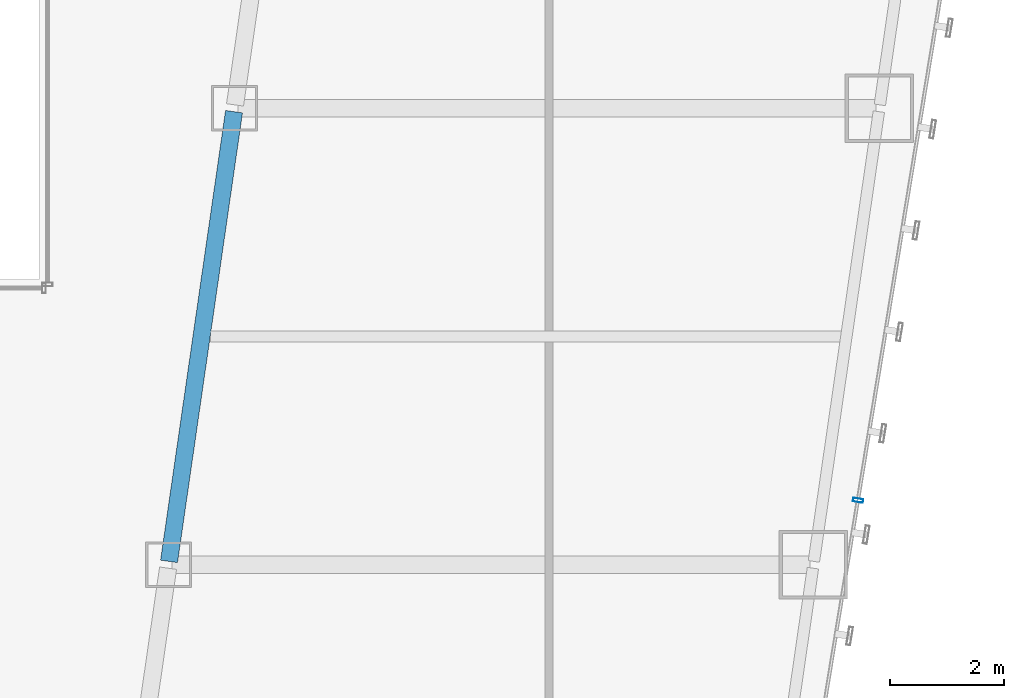
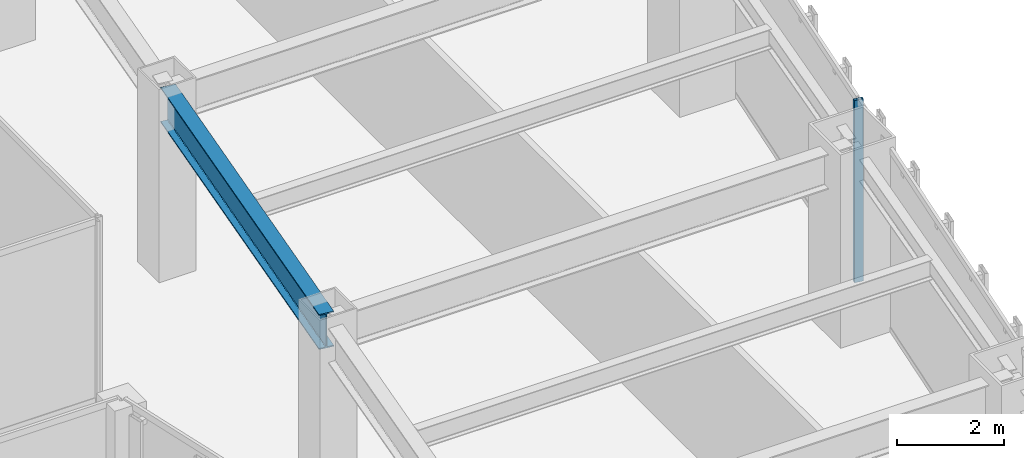
# One storey, part 17 of 47: 1 beam, 1 member, 1 element without a shape of its own.
"""IFC4 building model written with IfcOpenShell, lengths in metres."""

from ifc_helpers import new_model, si_unit, direction, frame, origin, origin_2d, place, context, subcontext, project, spatial, hollow_rectangle, i_section, extrude, material, material_profile, profile_set, type_object, element, aggregate, save


model = new_model("IFC4")

# Units and contexts
model_context = context("Model", 3, precision=1e-05, world=origin(), true_north=direction((0.0, 1.0)))
body_context = subcontext(model_context, "Body", "Model", "MODEL_VIEW")
ifc_project = project(units=[si_unit("LENGTHUNIT", "METRE"), si_unit("AREAUNIT", "SQUARE_METRE"), si_unit("VOLUMEUNIT", "CUBIC_METRE"), si_unit("PLANEANGLEUNIT", "RADIAN"), si_unit("MASSUNIT", "GRAM", prefix="KILO")], contexts=[model_context])

# Site, building, storey
site_placement = place(None, origin())
site = spatial("IfcSite", under=ifc_project, at=site_placement, CompositionType="ELEMENT")
building_placement = place(site_placement, origin())
building = spatial("IfcBuilding", under=site, at=building_placement, Name="Saevonmaru Cultural Tower", CompositionType="ELEMENT")
storey_placement = place(building_placement, frame((0.0, 0.0, 78.0)))
storey = spatial("IfcBuildingStorey", under=building, at=storey_placement, Name="L16", CompositionType="ELEMENT", Elevation=78.0)

# Beam
ifc_material_1 = material(Name="Steel SM420", Category="steel")
ifc_material_profile_1 = material_profile(ifc_material_1, i_section(OverallWidth=0.300048828125, OverallDepth=0.800048828125, WebThickness=0.013916015625, FlangeThickness=0.02587890625, FilletRadius=0.028076171875, at=origin_2d()), Name="H-800x300x14x26")
ifc_profile_set_1 = profile_set([ifc_material_profile_1], Name="Steel SM420")
beam_type = type_object("IfcBeamType", Name="BM-G-H800", PredefinedType="BEAM", material=ifc_profile_set_1)
beam_placement = place(storey_placement, frame((38.08056640625, 16.059326171875, 3.75), z_axis=(0.143022161059, 0.989719486241, 0.0), x_axis=(-0.989719486241, 0.143022161059, 0.0)))
element("IfcBeam", 1, at=beam_placement, inside=storey, type_object=beam_type, Name="L16 East Atrium Girder 3", PredefinedType="BEAM", context=body_context, shape_type="SweptSolid", body=[
    extrude(i_section(OverallWidth=0.300048828125, OverallDepth=0.800048828125, WebThickness=0.013916015625, FlangeThickness=0.02587890625, FilletRadius=0.028076171875, at=origin_2d()), origin(), (0.0, 0.0, 1.0), 7.963134765625),
])

# Curtain wall, member
ifc_material_2 = material(Name="Satin Bronze Anodised Aluminium", Category="aluminium")
curtain_wall_type = type_object("IfcCurtainWallType", Name="CW-TYP-A", PredefinedType="NOTDEFINED", material=ifc_material_2)
curtain_wall_placement = place(storey_placement, origin())
curtain_wall = element("IfcCurtainWall", 2, at=curtain_wall_placement, inside=storey, type_object=curtain_wall_type, Name="L16 Unitised Curtain Wall E8", PredefinedType="NOTDEFINED")
ifc_material_profile_2 = material_profile(ifc_material_2, hollow_rectangle(XDim=0.06494140625, YDim=0.179931640625, WallThickness=0.00390625, at=origin_2d()), Name="ALU-MULL-180x65x4")
ifc_profile_set_2 = profile_set([ifc_material_profile_2], Name="Satin Bronze Anodised Aluminium")
member_type = type_object("IfcMemberType", Name="ML-CW-180x65", PredefinedType="MULLION", material=ifc_profile_set_2)
member_placement = place(storey_placement, frame((50.15478515625, 17.129638671875, 0.0), z_axis=(0.0, 0.0, 1.0), x_axis=(0.161708868641, 0.986838508472, 0.0)))
member = element("IfcMember", 3, at=member_placement, type_object=member_type, Name="CW-TW-L16-E8 mullion 2", PredefinedType="MULLION", context=body_context, shape_type="SweptSolid", body=[
    extrude(hollow_rectangle(XDim=0.06494140625, YDim=0.179931640625, WallThickness=0.00390625, at=origin_2d()), origin(), (0.0, 0.0, 1.0), 4.14990234375),
])
aggregate(curtain_wall, [member])

save(model, "model.ifc")
